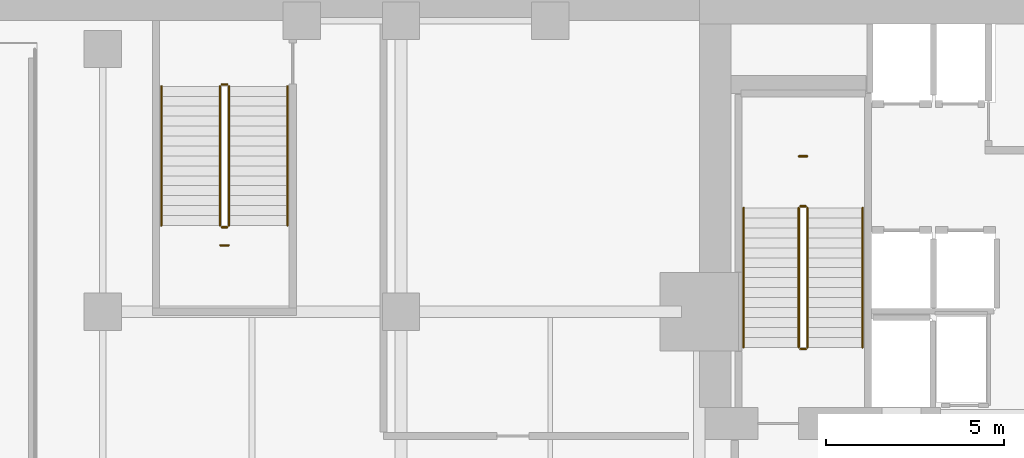
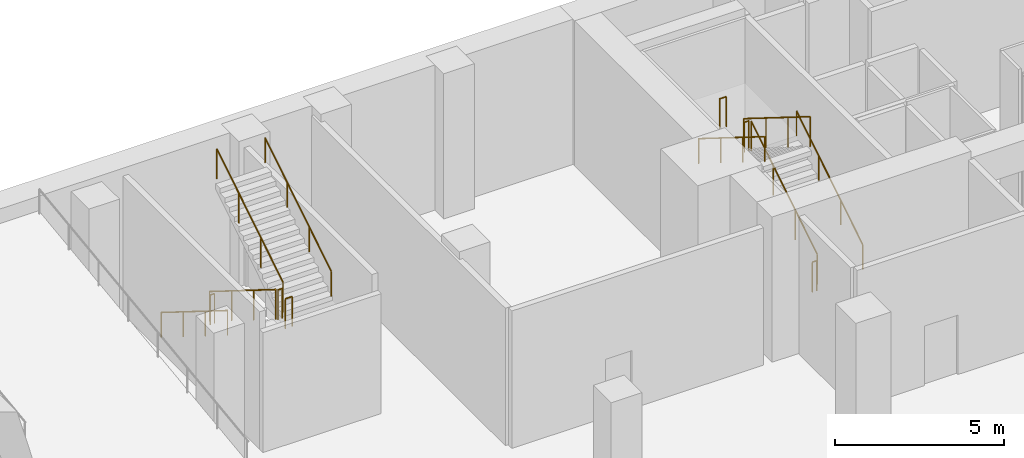
# One storey, part 8 of 10: 14 railings.
"""IFC4 building model written with IfcOpenShell, lengths in metres."""

from ifc_helpers import new_model, si_unit, direction, frame, origin, origin_2d, place, context, subcontext, project, spatial, circle, extrude, material, type_object, element, save


model = new_model("IFC4")

# Units and contexts
model_context = context("Model", 3, precision=1e-05, world=origin(), true_north=direction((0.0, 1.0)))
body_context = subcontext(model_context, "Body", "Model", "MODEL_VIEW")
ifc_project = project(units=[si_unit("LENGTHUNIT", "METRE"), si_unit("AREAUNIT", "SQUARE_METRE"), si_unit("VOLUMEUNIT", "CUBIC_METRE"), si_unit("PLANEANGLEUNIT", "RADIAN"), si_unit("MASSUNIT", "GRAM", prefix="KILO")], contexts=[model_context])

# Site, building, storey
site_placement = place(None, origin())
site = spatial("IfcSite", under=ifc_project, at=site_placement, CompositionType="ELEMENT")
building_placement = place(site_placement, origin())
building = spatial("IfcBuilding", under=site, at=building_placement, Name="Maruvema Waterfront Hotel and Observation Tower", CompositionType="ELEMENT")
storey_placement = place(building_placement, frame((0.0, 0.0, -5.25)))
storey = spatial("IfcBuildingStorey", under=building, at=storey_placement, Name="B01", CompositionType="ELEMENT", Elevation=-5.25)

# Railings
ifc_material_1 = material(Name="Brushed stainless steel Grade 316", Category="steel")
railing_type_1 = type_object("IfcRailingType", Name="Ramp Continuous Wall Handrail 920 mm", PredefinedType="HANDRAIL", material=ifc_material_1)
railing_1_placement = place(storey_placement, frame((29.800048828125, 44.0, 0.175048828125)))
element("IfcRailing", 1, at=railing_1_placement, inside=storey, type_object=railing_type_1, Name="B01 ST-01 stair handrail 1", PredefinedType="HANDRAIL", context=body_context, shape_type="SweptSolid", body=[
    extrude(circle(Radius=0.02392578125, at=origin_2d()), frame((0.0, 0.0, 0.89599609375), z_axis=(0.0, 0.847998304005, 0.529998940003), x_axis=(-1.0, 0.0, 0.0)), (0.0, 0.0, 1.0), 4.62255859375),
    extrude(circle(Radius=0.02099609375, at=origin_2d()), origin(), (0.0, 0.0, 1.0), 0.871826171875),
    extrude(circle(Radius=0.02099609375, at=origin_2d()), frame((0.0, 1.306640625, 0.816650390625)), (0.0, 0.0, 1.0), 0.871826171875),
    extrude(circle(Radius=0.02099609375, at=origin_2d()), frame((0.0, 2.61328125, 1.63330078125)), (0.0, 0.0, 1.0), 0.871826171875),
    extrude(circle(Radius=0.02099609375, at=origin_2d()), frame((0.0, 3.919921875, 2.449951171875)), (0.0, 0.0, 1.0), 0.871826171875),
])
railing_2_placement = place(storey_placement, frame((26.449951171875, 47.919921875, 2.800048828125)))
element("IfcRailing", 2, at=railing_2_placement, inside=storey, type_object=railing_type_1, Name="B01 ST-01 stair handrail 2", PredefinedType="HANDRAIL", context=body_context, shape_type="SweptSolid", body=[
    extrude(circle(Radius=0.02392578125, at=origin_2d()), frame((0.0, 0.0, 0.89599609375), z_axis=(0.0, -0.847998304005, 0.529998940003), x_axis=(1.0, 0.0, 0.0)), (0.0, 0.0, 1.0), 4.62255859375),
    extrude(circle(Radius=0.02099609375, at=origin_2d()), origin(), (0.0, 0.0, 1.0), 0.871826171875),
    extrude(circle(Radius=0.02099609375, at=origin_2d()), frame((0.0, -1.306640625, 0.816650390625)), (0.0, 0.0, 1.0), 0.871826171875),
    extrude(circle(Radius=0.02099609375, at=origin_2d()), frame((0.0, -2.61328125, 1.63330078125)), (0.0, 0.0, 1.0), 0.871826171875),
    extrude(circle(Radius=0.02099609375, at=origin_2d()), frame((0.0, -3.919921875, 2.449951171875)), (0.0, 0.0, 1.0), 0.871826171875),
])
railing_3_placement = place(storey_placement, frame((10.050048828125, 51.35009765625, 0.175048828125)))
element("IfcRailing", 3, at=railing_3_placement, inside=storey, type_object=railing_type_1, Name="B01 ST-04 stair handrail 1", PredefinedType="HANDRAIL", context=body_context, shape_type="SweptSolid", body=[
    extrude(circle(Radius=0.02392578125, at=origin_2d()), frame((0.0, 0.0, 0.89599609375), z_axis=(0.0, -0.848013138694, 0.529975203761), x_axis=(1.0, 0.0, 0.0)), (0.0, 0.0, 1.0), 4.622802734375),
    extrude(circle(Radius=0.02099609375, at=origin_2d()), origin(), (0.0, 0.0, 1.0), 0.871826171875),
    extrude(circle(Radius=0.02099609375, at=origin_2d()), frame((0.0, -1.306640625, 0.816650390625)), (0.0, 0.0, 1.0), 0.871826171875),
    extrude(circle(Radius=0.02099609375, at=origin_2d()), frame((0.0, -2.613525390625, 1.63330078125)), (0.0, 0.0, 1.0), 0.871826171875),
    extrude(circle(Radius=0.02099609375, at=origin_2d()), frame((0.0, -3.920166015625, 2.449951171875)), (0.0, 0.0, 1.0), 0.871826171875),
])
railing_4_placement = place(storey_placement, frame((13.60009765625, 47.429931640625, 2.800048828125)))
element("IfcRailing", 4, at=railing_4_placement, inside=storey, type_object=railing_type_1, Name="B01 ST-04 stair handrail 2", PredefinedType="HANDRAIL", context=body_context, shape_type="SweptSolid", body=[
    extrude(circle(Radius=0.02392578125, at=origin_2d()), frame((0.0, 0.0, 0.89599609375), z_axis=(0.0, 0.848013138694, 0.529975203761), x_axis=(-1.0, 0.0, 0.0)), (0.0, 0.0, 1.0), 4.622802734375),
    extrude(circle(Radius=0.02099609375, at=origin_2d()), origin(), (0.0, 0.0, 1.0), 0.871826171875),
    extrude(circle(Radius=0.02099609375, at=origin_2d()), frame((0.0, 1.306640625, 0.816650390625)), (0.0, 0.0, 1.0), 0.871826171875),
    extrude(circle(Radius=0.02099609375, at=origin_2d()), frame((0.0, 2.613525390625, 1.63330078125)), (0.0, 0.0, 1.0), 0.871826171875),
    extrude(circle(Radius=0.02099609375, at=origin_2d()), frame((0.0, 3.920166015625, 2.449951171875)), (0.0, 0.0, 1.0), 0.871826171875),
])
ifc_material_2 = material(Name="Brushed stainless steel Grade 316", Category="steel")
railing_type_2 = type_object("IfcRailingType", Name="Ramp and Terrace Guard Balustrade 1100 mm", PredefinedType="BALUSTRADE", material=ifc_material_2)
railing_5_placement = place(storey_placement, frame((28.25, 44.0, 0.175048828125)))
element("IfcRailing", 5, at=railing_5_placement, inside=storey, type_object=railing_type_2, Name="B01 ST-01 stair guard 1", PredefinedType="BALUSTRADE", context=body_context, shape_type="SweptSolid", body=[
    extrude(circle(Radius=0.02392578125, at=origin_2d()), frame((0.0, 0.0, 1.076171875), z_axis=(0.0, 0.847998304005, 0.529998940003), x_axis=(-1.0, 0.0, 0.0)), (0.0, 0.0, 1.0), 4.62255859375),
    extrude(circle(Radius=0.02099609375, at=origin_2d()), origin(), (0.0, 0.0, 1.0), 1.052001953125),
    extrude(circle(Radius=0.02099609375, at=origin_2d()), frame((0.0, 1.306640625, 0.816650390625)), (0.0, 0.0, 1.0), 1.052001953125),
    extrude(circle(Radius=0.02099609375, at=origin_2d()), frame((0.0, 2.61328125, 1.63330078125)), (0.0, 0.0, 1.0), 1.052001953125),
    extrude(circle(Radius=0.02099609375, at=origin_2d()), frame((0.0, 3.919921875, 2.449951171875)), (0.0, 0.0, 1.0), 1.052001953125),
])
railing_6_placement = place(storey_placement, frame((28.199951171875, 47.969970703125, 2.625)))
element("IfcRailing", 6, at=railing_6_placement, inside=storey, type_object=railing_type_2, Name="B01 ST-01 stair guard 2", PredefinedType="BALUSTRADE", context=body_context, shape_type="SweptSolid", body=[
    extrude(circle(Radius=0.02392578125, at=origin_2d()), frame((0.0, 0.0, 1.076171875), z_axis=(-1.0, 0.0, 0.0), x_axis=(0.0, -1.0, 0.0)), (0.0, 0.0, 1.0), 0.14990234375),
    extrude(circle(Radius=0.02099609375, at=origin_2d()), origin(), (0.0, 0.0, 1.0), 1.052001953125),
    extrude(circle(Radius=0.02099609375, at=origin_2d()), frame((-0.14990234375, 0.0, 0.0)), (0.0, 0.0, 1.0), 1.052001953125),
])
railing_7_placement = place(storey_placement, frame((28.0, 47.919921875, 2.800048828125)))
element("IfcRailing", 7, at=railing_7_placement, inside=storey, type_object=railing_type_2, Name="B01 ST-01 stair guard 3", PredefinedType="BALUSTRADE", context=body_context, shape_type="SweptSolid", body=[
    extrude(circle(Radius=0.02392578125, at=origin_2d()), frame((0.0, 0.0, 1.076171875), z_axis=(0.0, -0.847998304005, 0.529998940003), x_axis=(1.0, 0.0, 0.0)), (0.0, 0.0, 1.0), 4.62255859375),
    extrude(circle(Radius=0.02099609375, at=origin_2d()), origin(), (0.0, 0.0, 1.0), 1.052001953125),
    extrude(circle(Radius=0.02099609375, at=origin_2d()), frame((0.0, -1.306640625, 0.816650390625)), (0.0, 0.0, 1.0), 1.052001953125),
    extrude(circle(Radius=0.02099609375, at=origin_2d()), frame((0.0, -2.61328125, 1.63330078125)), (0.0, 0.0, 1.0), 1.052001953125),
    extrude(circle(Radius=0.02099609375, at=origin_2d()), frame((0.0, -3.919921875, 2.449951171875)), (0.0, 0.0, 1.0), 1.052001953125),
])
railing_8_placement = place(storey_placement, frame((28.199951171875, 43.949951171875, 0.0)))
element("IfcRailing", 8, at=railing_8_placement, inside=storey, type_object=railing_type_2, Name="B01 ST-01 stair guard 4", PredefinedType="BALUSTRADE", context=body_context, shape_type="SweptSolid", body=[
    extrude(circle(Radius=0.02392578125, at=origin_2d()), frame((0.0, 0.0, 1.076171875), z_axis=(-1.0, 0.0, 0.0), x_axis=(0.0, -1.0, 0.0)), (0.0, 0.0, 1.0), 0.14990234375),
    extrude(circle(Radius=0.02099609375, at=origin_2d()), origin(), (0.0, 0.0, 1.0), 1.052001953125),
    extrude(circle(Radius=0.02099609375, at=origin_2d()), frame((-0.14990234375, 0.0, 0.0)), (0.0, 0.0, 1.0), 1.052001953125),
])
railing_9_placement = place(storey_placement, frame((28.239990234375, 49.3798828125, 2.625)))
element("IfcRailing", 9, at=railing_9_placement, inside=storey, type_object=railing_type_2, Name="B01 ST-01 Half-Landing Slot Guard", PredefinedType="BALUSTRADE", context=body_context, shape_type="SweptSolid", body=[
    extrude(circle(Radius=0.02392578125, at=origin_2d()), frame((0.0, 0.0, 1.076171875), z_axis=(-1.0, 0.0, 0.0), x_axis=(0.0, -1.0, 0.0)), (0.0, 0.0, 1.0), 0.22998046875),
    extrude(circle(Radius=0.02099609375, at=origin_2d()), origin(), (0.0, 0.0, 1.0), 1.052001953125),
    extrude(circle(Radius=0.02099609375, at=origin_2d()), frame((-0.22998046875, 0.0, 0.0)), (0.0, 0.0, 1.0), 1.052001953125),
])
railing_10_placement = place(storey_placement, frame((11.699951171875, 51.35009765625, 0.175048828125)))
element("IfcRailing", 10, at=railing_10_placement, inside=storey, type_object=railing_type_2, Name="B01 ST-04 stair guard 1", PredefinedType="BALUSTRADE", context=body_context, shape_type="SweptSolid", body=[
    extrude(circle(Radius=0.02392578125, at=origin_2d()), frame((0.0, 0.0, 1.076171875), z_axis=(0.0, -0.848013138694, 0.529975203761), x_axis=(1.0, 0.0, 0.0)), (0.0, 0.0, 1.0), 4.622802734375),
    extrude(circle(Radius=0.02099609375, at=origin_2d()), origin(), (0.0, 0.0, 1.0), 1.052001953125),
    extrude(circle(Radius=0.02099609375, at=origin_2d()), frame((0.0, -1.306640625, 0.816650390625)), (0.0, 0.0, 1.0), 1.052001953125),
    extrude(circle(Radius=0.02099609375, at=origin_2d()), frame((0.0, -2.613525390625, 1.63330078125)), (0.0, 0.0, 1.0), 1.052001953125),
    extrude(circle(Radius=0.02099609375, at=origin_2d()), frame((0.0, -3.920166015625, 2.449951171875)), (0.0, 0.0, 1.0), 1.052001953125),
])
railing_11_placement = place(storey_placement, frame((11.75, 47.3798828125, 2.625)))
element("IfcRailing", 11, at=railing_11_placement, inside=storey, type_object=railing_type_2, Name="B01 ST-04 stair guard 2", PredefinedType="BALUSTRADE", context=body_context, shape_type="SweptSolid", body=[
    extrude(circle(Radius=0.02392578125, at=origin_2d()), frame((0.0, 0.0, 1.076171875), z_axis=(1.0, 0.0, 0.0), x_axis=(0.0, 1.0, 0.0)), (0.0, 0.0, 1.0), 0.14990234375),
    extrude(circle(Radius=0.02099609375, at=origin_2d()), origin(), (0.0, 0.0, 1.0), 1.052001953125),
    extrude(circle(Radius=0.02099609375, at=origin_2d()), frame((0.14990234375, 0.0, 0.0)), (0.0, 0.0, 1.0), 1.052001953125),
])
railing_12_placement = place(storey_placement, frame((11.949951171875, 47.429931640625, 2.800048828125)))
element("IfcRailing", 12, at=railing_12_placement, inside=storey, type_object=railing_type_2, Name="B01 ST-04 stair guard 3", PredefinedType="BALUSTRADE", context=body_context, shape_type="SweptSolid", body=[
    extrude(circle(Radius=0.02392578125, at=origin_2d()), frame((0.0, 0.0, 1.076171875), z_axis=(0.0, 0.848013138694, 0.529975203761), x_axis=(-1.0, 0.0, 0.0)), (0.0, 0.0, 1.0), 4.622802734375),
    extrude(circle(Radius=0.02099609375, at=origin_2d()), origin(), (0.0, 0.0, 1.0), 1.052001953125),
    extrude(circle(Radius=0.02099609375, at=origin_2d()), frame((0.0, 1.306640625, 0.816650390625)), (0.0, 0.0, 1.0), 1.052001953125),
    extrude(circle(Radius=0.02099609375, at=origin_2d()), frame((0.0, 2.613525390625, 1.63330078125)), (0.0, 0.0, 1.0), 1.052001953125),
    extrude(circle(Radius=0.02099609375, at=origin_2d()), frame((0.0, 3.920166015625, 2.449951171875)), (0.0, 0.0, 1.0), 1.052001953125),
])
railing_13_placement = place(storey_placement, frame((11.75, 51.39990234375, 0.0)))
element("IfcRailing", 13, at=railing_13_placement, inside=storey, type_object=railing_type_2, Name="B01 ST-04 stair guard 4", PredefinedType="BALUSTRADE", context=body_context, shape_type="SweptSolid", body=[
    extrude(circle(Radius=0.02392578125, at=origin_2d()), frame((0.0, 0.0, 1.076171875), z_axis=(1.0, 0.0, 0.0), x_axis=(0.0, 1.0, 0.0)), (0.0, 0.0, 1.0), 0.14990234375),
    extrude(circle(Radius=0.02099609375, at=origin_2d()), origin(), (0.0, 0.0, 1.0), 1.052001953125),
    extrude(circle(Radius=0.02099609375, at=origin_2d()), frame((0.14990234375, 0.0, 0.0)), (0.0, 0.0, 1.0), 1.052001953125),
])
railing_14_placement = place(storey_placement, frame((11.7099609375, 46.8701171875, 2.625)))
element("IfcRailing", 14, at=railing_14_placement, inside=storey, type_object=railing_type_2, Name="B01 ST-04 Half-Landing Slot Guard", PredefinedType="BALUSTRADE", context=body_context, shape_type="SweptSolid", body=[
    extrude(circle(Radius=0.02392578125, at=origin_2d()), frame((0.0, 0.0, 1.076171875), z_axis=(1.0, 0.0, 0.0), x_axis=(0.0, 1.0, 0.0)), (0.0, 0.0, 1.0), 0.22998046875),
    extrude(circle(Radius=0.02099609375, at=origin_2d()), origin(), (0.0, 0.0, 1.0), 1.052001953125),
    extrude(circle(Radius=0.02099609375, at=origin_2d()), frame((0.22998046875, 0.0, 0.0)), (0.0, 0.0, 1.0), 1.052001953125),
])

save(model, "model.ifc")
